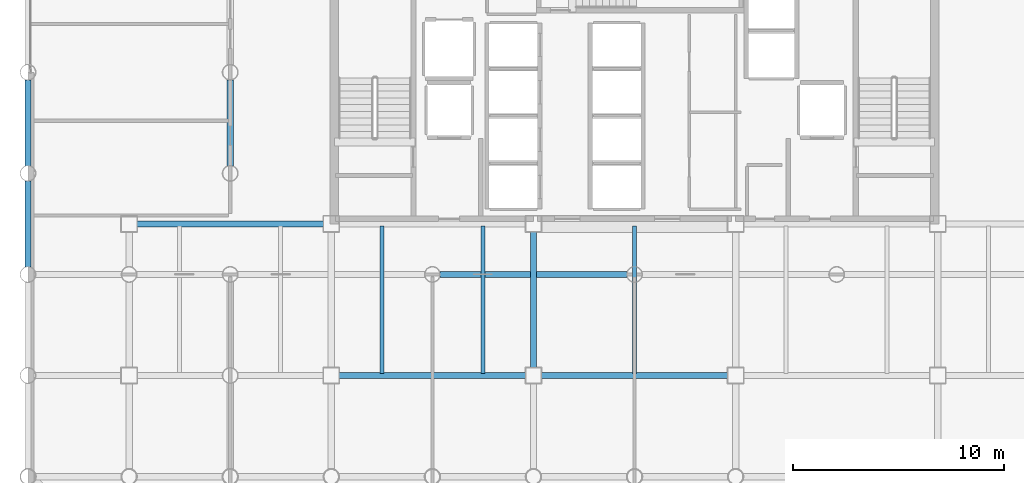
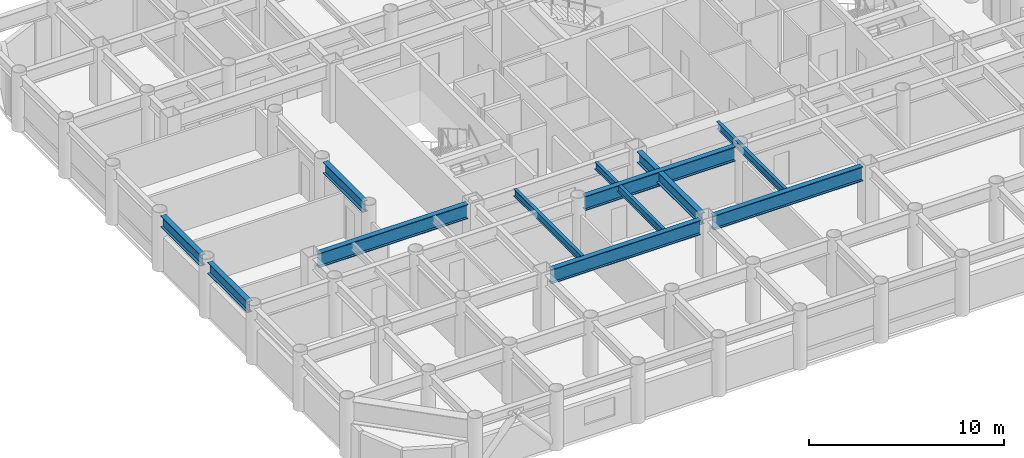
# One storey, part 3 of 19: 11 beams.
"""IFC4 building model written with IfcOpenShell, lengths in metres."""

from ifc_helpers import new_model, si_unit, direction, frame, origin, origin_2d, place, context, subcontext, project, spatial, i_section, extrude, material, material_profile, profile_set, type_object, element, save


model = new_model("IFC4")

# Units and contexts
model_context = context("Model", 3, precision=1e-05, world=origin(), true_north=direction((0.0, 1.0)))
body_context = subcontext(model_context, "Body", "Model", "MODEL_VIEW")
ifc_project = project(units=[si_unit("LENGTHUNIT", "METRE"), si_unit("AREAUNIT", "SQUARE_METRE"), si_unit("VOLUMEUNIT", "CUBIC_METRE"), si_unit("PLANEANGLEUNIT", "RADIAN"), si_unit("MASSUNIT", "GRAM", prefix="KILO")], contexts=[model_context])

# Site, building, storey
site_placement = place(None, origin())
site = spatial("IfcSite", under=ifc_project, at=site_placement, CompositionType="ELEMENT")
building_placement = place(site_placement, origin())
building = spatial("IfcBuilding", under=site, at=building_placement, Name="Kallvorn Hotel Tower", CompositionType="ELEMENT")
storey_placement = place(building_placement, frame((0.0, 0.0, 67.0)))
storey = spatial("IfcBuildingStorey", under=building, at=storey_placement, Name="L15", CompositionType="ELEMENT", Elevation=67.0)

# Beams
ifc_material_1 = material(Name="Structural steel S355JR", Category="steel")
ifc_material_profile_1 = material_profile(ifc_material_1, i_section(OverallWidth=0.300048828125, OverallDepth=0.699951171875, WebThickness=0.01708984375, FlangeThickness=0.031982421875, at=origin_2d()), Name="HE 700 B")
ifc_profile_set_1 = profile_set([ifc_material_profile_1], Name="Structural steel S355JR")
beam_type_1 = type_object("IfcBeamType", Name="BM_HE700B", PredefinedType="BEAM", material=ifc_profile_set_1)
beam_1_placement = place(storey_placement, frame((-28.800048828125, -9.243896484375, 3.169921875), z_axis=(0.0, 1.0, 0.0), x_axis=(-1.0, 0.0, 0.0)))
element("IfcBeam", 1, at=beam_1_placement, inside=storey, type_object=beam_type_1, Name="L16 Primary Y-Girder 75", PredefinedType="BEAM", context=body_context, shape_type="SweptSolid", body=[
    extrude(i_section(OverallWidth=0.300048828125, OverallDepth=0.699951171875, WebThickness=0.01708984375, FlangeThickness=0.031982421875, at=origin_2d()), origin(), (0.0, 0.0, 1.0), 4.087890625),
])
for number, where, z_axis, x_axis, name in (
    (2, (-28.800048828125, -4.444091796875, 3.169921875), (0.0, 1.0, 0.0), (-1.0, 0.0, 0.0), "L16 Primary Y-Girder 76"),
    (3, (-19.199951171875, -4.444091796875, 3.169921875), (0.0, 1.0, 0.0), (-1.0, 0.0, 0.0), "L16 Primary Y-Girder 92"),
):
    element("IfcBeam", number, at=place(storey_placement, frame(where, z_axis=z_axis, x_axis=x_axis)), inside=storey, type_object=beam_type_1, Name=name, PredefinedType="BEAM", context=body_context, shape_type="SweptSolid", body=[
        extrude(i_section(OverallWidth=0.300048828125, OverallDepth=0.699951171875, WebThickness=0.01708984375, FlangeThickness=0.031982421875, at=origin_2d()), origin(), (0.0, 0.0, 1.0), 4.088134765625),
    ])
beam_2_placement = place(storey_placement, frame((-4.800048828125, -14.02490234375, 3.169921875), z_axis=(0.0, 1.0, 0.0), x_axis=(-1.0, 0.0, 0.0)))
element("IfcBeam", 4, at=beam_2_placement, inside=storey, type_object=beam_type_1, Name="L16 Primary Y-Girder 107", PredefinedType="BEAM", context=body_context, shape_type="SweptSolid", body=[
    extrude(i_section(OverallWidth=0.300048828125, OverallDepth=0.699951171875, WebThickness=0.01708984375, FlangeThickness=0.031982421875, at=origin_2d()), origin(), (0.0, 0.0, 1.0), 6.449951171875),
])
ifc_material_2 = material(Name="Structural steel S355JR", Category="steel")
ifc_material_profile_2 = material_profile(ifc_material_2, i_section(OverallWidth=0.300048828125, OverallDepth=0.89990234375, WebThickness=0.0185546875, FlangeThickness=0.034912109375, at=origin_2d()), Name="HE 900 B")
ifc_profile_set_2 = profile_set([ifc_material_profile_2], Name="Structural steel S355JR")
beam_type_2 = type_object("IfcBeamType", Name="BM_HE900B", PredefinedType="BEAM", material=ifc_profile_set_2)
beam_3_placement = place(storey_placement, frame((-14.02490234375, -14.39990234375, 3.070068359375), z_axis=(1.0, 0.0, 0.0), x_axis=(0.0, 1.0, 0.0)))
element("IfcBeam", 5, at=beam_3_placement, inside=storey, type_object=beam_type_2, Name="L16 Primary X-Girder 17", PredefinedType="BEAM", context=body_context, shape_type="SweptSolid", body=[
    extrude(i_section(OverallWidth=0.300048828125, OverallDepth=0.89990234375, WebThickness=0.0185546875, FlangeThickness=0.034912109375, at=origin_2d()), origin(), (0.0, 0.0, 1.0), 8.849853515625),
])
beam_4_placement = place(storey_placement, frame((-4.425048828125, -14.39990234375, 3.070068359375), z_axis=(1.0, 0.0, 0.0), x_axis=(0.0, 1.0, 0.0)))
element("IfcBeam", 6, at=beam_4_placement, inside=storey, type_object=beam_type_2, Name="L16 Primary X-Girder 18", PredefinedType="BEAM", context=body_context, shape_type="SweptSolid", body=[
    extrude(i_section(OverallWidth=0.300048828125, OverallDepth=0.89990234375, WebThickness=0.0185546875, FlangeThickness=0.034912109375, at=origin_2d()), origin(), (0.0, 0.0, 1.0), 8.85009765625),
])
beam_5_placement = place(storey_placement, frame((-9.243896484375, -9.60009765625, 3.070068359375), z_axis=(1.0, 0.0, 0.0), x_axis=(0.0, 1.0, 0.0)))
element("IfcBeam", 7, at=beam_5_placement, inside=storey, type_object=beam_type_2, Name="L16 Primary X-Girder 27", PredefinedType="BEAM", context=body_context, shape_type="SweptSolid", body=[
    extrude(i_section(OverallWidth=0.300048828125, OverallDepth=0.89990234375, WebThickness=0.0185546875, FlangeThickness=0.034912109375, at=origin_2d()), origin(), (0.0, 0.0, 1.0), 8.887939453125),
])
beam_6_placement = place(storey_placement, frame((-23.625, -7.199951171875, 3.070068359375), z_axis=(1.0, 0.0, 0.0), x_axis=(0.0, 1.0, 0.0)))
element("IfcBeam", 8, at=beam_6_placement, inside=storey, type_object=beam_type_2, Name="L16 Primary X-Girder 33", PredefinedType="BEAM", context=body_context, shape_type="SweptSolid", body=[
    extrude(i_section(OverallWidth=0.300048828125, OverallDepth=0.89990234375, WebThickness=0.0185546875, FlangeThickness=0.034912109375, at=origin_2d()), origin(), (0.0, 0.0, 1.0), 8.85009765625),
])
ifc_material_3 = material(Name="Structural steel S355JR", Category="steel")
ifc_material_profile_3 = material_profile(ifc_material_3, i_section(OverallWidth=0.18994140625, OverallDepth=0.449951171875, WebThickness=0.009521484375, FlangeThickness=0.0146484375, at=origin_2d()), Name="IPE 450")
ifc_profile_set_3 = profile_set([ifc_material_profile_3], Name="Structural steel S355JR")
beam_type_3 = type_object("IfcBeamType", Name="BM_IPE450", PredefinedType="JOIST", material=ifc_profile_set_3)
for number, where, z_axis, x_axis, name in (
    (9, (-12.0, -14.300048828125, 3.294921875), (0.0, 1.0, 0.0), (-1.0, 0.0, 0.0), "L16 Secondary Composite Joist 196"),
    (10, (-7.199951171875, -14.300048828125, 3.294921875), (0.0, 1.0, 0.0), (-1.0, 0.0, 0.0), "L16 Secondary Composite Joist 198"),
    (11, (0.0, -14.300048828125, 3.294921875), (0.0, 1.0, 0.0), (-1.0, 0.0, 0.0), "L16 Secondary Composite Joist 200"),
):
    element("IfcBeam", number, at=place(storey_placement, frame(where, z_axis=z_axis, x_axis=x_axis)), inside=storey, type_object=beam_type_3, Name=name, PredefinedType="JOIST", context=body_context, shape_type="SweptSolid", body=[
        extrude(i_section(OverallWidth=0.18994140625, OverallDepth=0.449951171875, WebThickness=0.009521484375, FlangeThickness=0.0146484375, at=origin_2d()), origin(), (0.0, 0.0, 1.0), 7.0),
    ])

save(model, "model.ifc")
